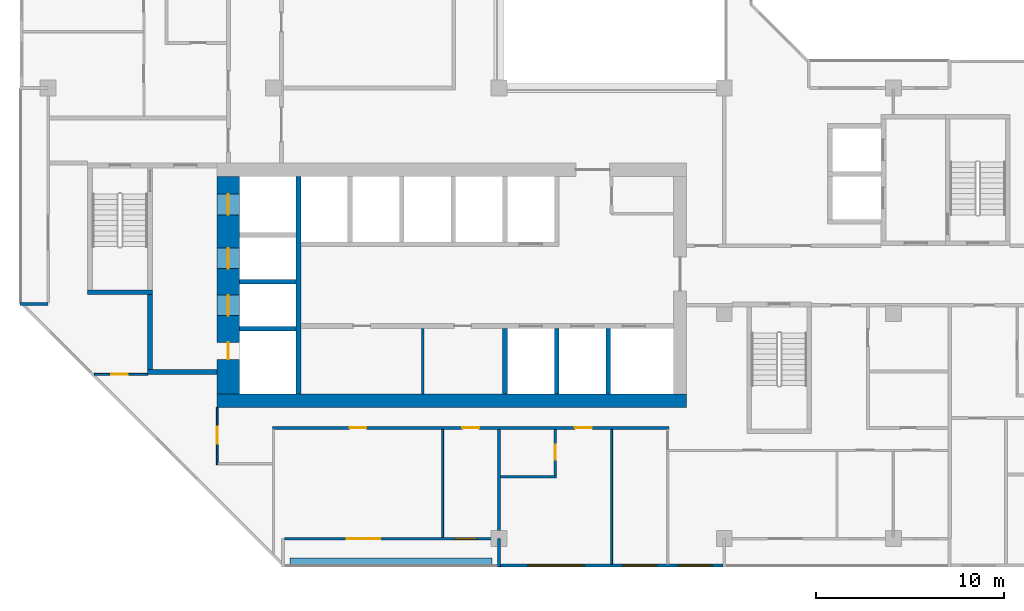
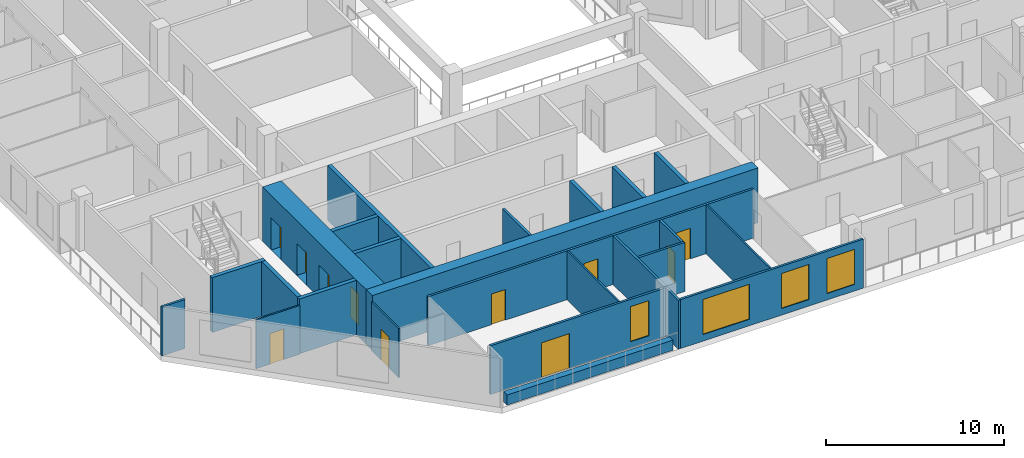
# One storey, part 4 of 15: 25 walls, 11 doors, 4 windows, 15 openings.
"""IFC4 building model written with IfcOpenShell, lengths in metres."""

from ifc_helpers import new_model, si_unit, direction, frame, frame_2d, origin, place, context, subcontext, project, spatial, rectangle, extrude, material, layer, layer_set, type_object, element, fill, save


model = new_model("IFC4")

# Units and contexts
model_context = context("Model", 3, precision=1e-05, world=origin(), true_north=direction((0.0, 1.0)))
body_context = subcontext(model_context, "Body", "Model", "MODEL_VIEW")
ifc_project = project(units=[si_unit("LENGTHUNIT", "METRE"), si_unit("AREAUNIT", "SQUARE_METRE"), si_unit("VOLUMEUNIT", "CUBIC_METRE"), si_unit("PLANEANGLEUNIT", "RADIAN"), si_unit("MASSUNIT", "GRAM", prefix="KILO")], contexts=[model_context])

# Site, building, storey
site_placement = place(None, origin())
site = spatial("IfcSite", under=ifc_project, at=site_placement, CompositionType="ELEMENT")
building_placement = place(site_placement, origin())
building = spatial("IfcBuilding", under=site, at=building_placement, Name="Chenar Terraces", CompositionType="ELEMENT")
storey_placement = place(building_placement, frame((0.0, 0.0, 249.14990234375)))
storey = spatial("IfcBuildingStorey", under=building, at=storey_placement, Name="L59", CompositionType="ELEMENT", Elevation=249.14990234375)

# Wall
ifc_material_1 = material(Name="Gypsum board on steel studs", Category="steel")
ifc_layer_1 = layer(ifc_material_1, 0.14990234375)
ifc_layer_set_1 = layer_set([ifc_layer_1], Name="Gypsum board on steel studs")
wall_type_1 = type_object("IfcWallType", Name="Core partition 150 gypsum board", PredefinedType="PARTITIONING", material=ifc_layer_set_1)
wall_1_placement = place(storey_placement, frame((19.949951171875, 7.699951171875, 0.0), z_axis=(0.0, 0.0, 1.0), x_axis=(0.0, 1.0, 0.0)))
element("IfcWall", 1, at=wall_1_placement, inside=storey, type_object=wall_type_1, Name="Core partition CP1 freed bay wall", PredefinedType="PARTITIONING", context=body_context, shape_type="SweptSolid", body=[
    extrude(rectangle(XDim=3.5, YDim=0.14990234375, at=frame_2d((1.75, 0.0))), origin(), (0.0, 0.0, 1.0), 3.35009765625),
])

# Wall, openings, doors
ifc_material_2 = material(Name="Concrete C60/75", Category="concrete")
ifc_layer_2 = layer(ifc_material_2, 1.199951171875)
ifc_layer_set_2 = layer_set([ifc_layer_2], Name="Concrete C60/75")
wall_type_2 = type_object("IfcWallType", Name="Core wall 1200 Concrete C60/75", PredefinedType="SHEAR", material=ifc_layer_set_2)
wall_2_placement = place(storey_placement, frame((9.60009765625, 7.699951171875, 0.0), z_axis=(0.0, 0.0, 1.0), x_axis=(0.0, 1.0, 0.0)))
wall_2 = element("IfcWall", 2, at=wall_2_placement, inside=storey, type_object=wall_type_2, Name="Core wall W L59", PredefinedType="SHEAR", context=body_context, shape_type="SweptSolid", body=[
    extrude(rectangle(XDim=11.60009765625, YDim=1.199951171875, at=frame_2d((5.800048828125, 0.0))), origin(), (0.0, 0.0, 1.0), 3.75),
])
opening_1_placement = place(wall_2_placement, frame((4.175048828125, 0.0, 0.0)))
opening_1 = element("IfcOpeningElement", 3, at=opening_1_placement, cuts=wall_2, Name="Opening DL59-LD5", PredefinedType="OPENING", context=body_context, shape_type="SweptSolid", body=[
    extrude(rectangle(XDim=1.10009765625, YDim=2.199951171875, at=frame_2d((0.550048828125, 1.10009765625))), frame((0.0, 0.60986328125, 0.0), z_axis=(0.0, -1.0, 0.0), x_axis=(1.0, 0.0, 0.0)), (0.0, 0.0, 1.0), 1.219970703125),
])
opening_2_placement = place(wall_2_placement, frame((6.675048828125, 0.0, 0.0)))
opening_2 = element("IfcOpeningElement", 4, at=opening_2_placement, cuts=wall_2, Name="Opening DL59-LD6", PredefinedType="OPENING", context=body_context, shape_type="SweptSolid", body=[
    extrude(rectangle(XDim=1.10009765625, YDim=2.199951171875, at=frame_2d((0.550048828125, 1.10009765625))), frame((0.0, 0.60986328125, 0.0), z_axis=(0.0, -1.0, 0.0), x_axis=(1.0, 0.0, 0.0)), (0.0, 0.0, 1.0), 1.219970703125),
])
opening_3_placement = place(wall_2_placement, frame((9.550048828125, 0.0, 0.0)))
opening_3 = element("IfcOpeningElement", 5, at=opening_3_placement, cuts=wall_2, Name="Opening DL59-LD7", PredefinedType="OPENING", context=body_context, shape_type="SweptSolid", body=[
    extrude(rectangle(XDim=1.10009765625, YDim=2.199951171875, at=frame_2d((0.550048828125, 1.10009765625))), frame((0.0, 0.60986328125, 0.0), z_axis=(0.0, -1.0, 0.0), x_axis=(1.0, 0.0, 0.0)), (0.0, 0.0, 1.0), 1.219970703125),
])
opening_4_placement = place(wall_2_placement, frame((1.85009765625, 0.0, 0.0)))
opening_4 = element("IfcOpeningElement", 6, at=opening_4_placement, cuts=wall_2, Name="Opening DL59-C4", PredefinedType="OPENING", context=body_context, shape_type="SweptSolid", body=[
    extrude(rectangle(XDim=0.89990234375, YDim=2.10009765625, at=frame_2d((0.449951171875, 1.050048828125))), frame((0.0, 0.60986328125, 0.0), z_axis=(0.0, -1.0, 0.0), x_axis=(1.0, 0.0, 0.0)), (0.0, 0.0, 1.0), 1.219970703125),
])
ifc_material_3 = material(Name="Stainless steel", Category="steel")
door_type_1 = type_object("IfcDoorType", Name="Lift landing door 1100 x 2200 sliding", OperationType="DOUBLE_DOOR_SLIDING", PredefinedType="DOOR", material=ifc_material_3)
door_1_placement = place(opening_1_placement, origin())
door_1 = element("IfcDoor", 7, at=door_1_placement, inside=storey, type_object=door_type_1, Name="Landing door S1", OperationType="DOUBLE_DOOR_SLIDING", OverallHeight=2.199951171875, OverallWidth=1.10009765625, PredefinedType="DOOR", context=body_context, shape_type="SweptSolid", body=[
    extrude(rectangle(XDim=1.10009765625, YDim=2.199951171875, at=frame_2d((0.550048828125, 1.10009765625))), frame((0.0, 0.02490234375, 0.0), z_axis=(0.0, -1.0, 0.0), x_axis=(1.0, 0.0, 0.0)), (0.0, 0.0, 1.0), 0.050048828125),
])
fill(opening_1, door_1)
door_2_placement = place(opening_2_placement, origin())
door_2 = element("IfcDoor", 8, at=door_2_placement, inside=storey, type_object=door_type_1, Name="Landing door F1", OperationType="DOUBLE_DOOR_SLIDING", OverallHeight=2.199951171875, OverallWidth=1.10009765625, PredefinedType="DOOR", context=body_context, shape_type="SweptSolid", body=[
    extrude(rectangle(XDim=1.10009765625, YDim=2.199951171875, at=frame_2d((0.550048828125, 1.10009765625))), frame((0.0, 0.02490234375, 0.0), z_axis=(0.0, -1.0, 0.0), x_axis=(1.0, 0.0, 0.0)), (0.0, 0.0, 1.0), 0.050048828125),
])
fill(opening_2, door_2)
door_3_placement = place(opening_3_placement, origin())
door_3 = element("IfcDoor", 9, at=door_3_placement, inside=storey, type_object=door_type_1, Name="Landing door F2", OperationType="DOUBLE_DOOR_SLIDING", OverallHeight=2.199951171875, OverallWidth=1.10009765625, PredefinedType="DOOR", context=body_context, shape_type="SweptSolid", body=[
    extrude(rectangle(XDim=1.10009765625, YDim=2.199951171875, at=frame_2d((0.550048828125, 1.10009765625))), frame((0.0, 0.02490234375, 0.0), z_axis=(0.0, -1.0, 0.0), x_axis=(1.0, 0.0, 0.0)), (0.0, 0.0, 1.0), 0.050048828125),
])
fill(opening_3, door_3)
ifc_material_4 = material(Name="Steel-framed fire-resisting door leaf", Category="steel")
door_type_2 = type_object("IfcDoorType", Name="Riser fire door FD60 900 x 2100", OperationType="SINGLE_SWING_LEFT", PredefinedType="DOOR", material=ifc_material_4)
door_4_placement = place(opening_4_placement, frame((0.89990234375, 0.0, 0.0), z_axis=(0.0, 0.0, 1.0), x_axis=(-1.0, 0.0, 0.0)))
door_4 = element("IfcDoor", 10, at=door_4_placement, inside=storey, type_object=door_type_2, Name="Riser door DL59-C4", OperationType="SINGLE_SWING_LEFT", OverallHeight=2.10009765625, OverallWidth=0.89990234375, PredefinedType="DOOR", context=body_context, shape_type="SweptSolid", body=[
    extrude(rectangle(XDim=0.89990234375, YDim=2.10009765625, at=frame_2d((0.449951171875, 1.050048828125))), frame((0.0, 0.02490234375, 0.0), z_axis=(0.0, -1.0, 0.0), x_axis=(1.0, 0.0, 0.0)), (0.0, 0.0, 1.0), 0.050048828125),
])
fill(opening_4, door_4)

# Walls
ifc_material_5 = material(Name="Concrete C60/75", Category="concrete")
ifc_layer_3 = layer(ifc_material_5, 0.25)
ifc_layer_set_3 = layer_set([ifc_layer_3], Name="Concrete C60/75")
wall_type_3 = type_object("IfcWallType", Name="Core wall 250 Concrete C60/75", PredefinedType="SHEAR", material=ifc_layer_set_3)
wall_3_placement = place(storey_placement, frame((13.324951171875, 7.699951171875, 0.0), z_axis=(0.0, 0.0, 1.0), x_axis=(0.0, 1.0, 0.0)))
element("IfcWall", 11, at=wall_3_placement, inside=storey, type_object=wall_type_3, Name="Core wall WI L59", PredefinedType="SHEAR", context=body_context, shape_type="SweptSolid", body=[
    extrude(rectangle(XDim=11.60009765625, YDim=0.25, at=frame_2d((5.800048828125, 0.0))), origin(), (0.0, 0.0, 1.0), 3.75),
])
for number, where, z_axis, x_axis, name in (
    (12, (10.199951171875, 11.175048828125, 0.0), (0.0, 0.0, 1.0), (1.0, 0.0, 0.0), "Core wall HW0 L59"),
    (13, (10.199951171875, 13.675048828125, 0.0), (0.0, 0.0, 1.0), (1.0, 0.0, 0.0), "Core wall HW1 L59"),
):
    element("IfcWall", number, at=place(storey_placement, frame(where, z_axis=z_axis, x_axis=x_axis)), inside=storey, type_object=wall_type_3, Name=name, PredefinedType="SHEAR", context=body_context, shape_type="SweptSolid", body=[
        extrude(rectangle(XDim=3.0, YDim=0.25, at=frame_2d((1.5, 0.0))), origin(), (0.0, 0.0, 1.0), 3.75),
    ])
for number, where, z_axis, x_axis, name in (
    (14, (24.324951171875, 7.699951171875, 0.0), (0.0, 0.0, 1.0), (0.0, 1.0, 0.0), "Core wall SS3 L59"),
    (15, (27.074951171875, 7.699951171875, 0.0), (0.0, 0.0, 1.0), (0.0, 1.0, 0.0), "Core wall SS4 L59"),
    (16, (29.824951171875, 7.699951171875, 0.0), (0.0, 0.0, 1.0), (0.0, 1.0, 0.0), "Core wall SS5 L59"),
):
    element("IfcWall", number, at=place(storey_placement, frame(where, z_axis=z_axis, x_axis=x_axis)), inside=storey, type_object=wall_type_3, Name=name, PredefinedType="SHEAR", context=body_context, shape_type="SweptSolid", body=[
        extrude(rectangle(XDim=3.5, YDim=0.25, at=frame_2d((1.75, 0.0))), origin(), (0.0, 0.0, 1.0), 3.75),
    ])
wall_4_placement = place(storey_placement, frame((2.10009765625, 13.125, 0.0), z_axis=(0.0, 0.0, 1.0), x_axis=(1.0, 0.0, 0.0)))
element("IfcWall", 17, at=wall_4_placement, inside=storey, type_object=wall_type_3, Name="Core wall ST1_S L59", PredefinedType="SHEAR", context=body_context, shape_type="SweptSolid", body=[
    extrude(rectangle(XDim=3.449951171875, YDim=0.25, at=frame_2d((1.72509765625, 0.0))), origin(), (0.0, 0.0, 1.0), 3.75),
])
wall_5_placement = place(storey_placement, frame((5.300048828125, 8.875, 0.0), z_axis=(0.0, 0.0, 1.0), x_axis=(1.0, 0.0, 0.0)))
element("IfcWall", 18, at=wall_5_placement, inside=storey, type_object=wall_type_3, Name="Core wall FFL_S L59", PredefinedType="SHEAR", context=body_context, shape_type="SweptSolid", body=[
    extrude(rectangle(XDim=3.699951171875, YDim=0.25, at=frame_2d((1.85009765625, 0.0))), origin(), (0.0, 0.0, 1.0), 3.75),
])
wall_6_placement = place(storey_placement, frame((5.425048828125, 9.0, 0.0), z_axis=(0.0, 0.0, 1.0), x_axis=(0.0, 1.0, 0.0)))
element("IfcWall", 19, at=wall_6_placement, inside=storey, type_object=wall_type_3, Name="Core wall FFL_W L59", PredefinedType="SHEAR", context=body_context, shape_type="SweptSolid", body=[
    extrude(rectangle(XDim=4.0, YDim=0.25, at=frame_2d((2.0, 0.0))), origin(), (0.0, 0.0, 1.0), 3.75),
])
ifc_material_6 = material(Name="Concrete C60/75", Category="concrete")
ifc_layer_4 = layer(ifc_material_6, 0.699951171875)
ifc_layer_set_4 = layer_set([ifc_layer_4], Name="Concrete C60/75")
wall_type_4 = type_object("IfcWallType", Name="Core wall 700 Concrete C60/75", PredefinedType="SHEAR", material=ifc_layer_set_4)
wall_7_placement = place(storey_placement, frame((9.0, 7.35009765625, 0.0), z_axis=(0.0, 0.0, 1.0), x_axis=(1.0, 0.0, 0.0)))
element("IfcWall", 20, at=wall_7_placement, inside=storey, type_object=wall_type_4, Name="Core wall S L59", PredefinedType="SHEAR", context=body_context, shape_type="SweptSolid", body=[
    extrude(rectangle(XDim=25.0, YDim=0.699951171875, at=frame_2d((12.5, 0.0))), origin(), (0.0, 0.0, 1.0), 3.75),
])

# Wall, openings, windows
ifc_material_7 = material(Name="Aluminium framed glazing", Category="aluminium")
ifc_layer_5 = layer(ifc_material_7, 0.14990234375)
ifc_layer_set_5 = layer_set([ifc_layer_5], Name="Aluminium framed glazing")
wall_type_5 = type_object("IfcWallType", Name="Glazed flush facade wall 150", PredefinedType="SOLIDWALL", material=ifc_layer_set_5)
wall_8_placement = place(storey_placement, frame((24.074951171875, -1.425048828125, 0.0), z_axis=(0.0, 0.0, 1.0), x_axis=(1.0, 0.0, 0.0)))
wall_8 = element("IfcWall", 21, at=wall_8_placement, inside=storey, type_object=wall_type_5, Name="Glazed flush facade wall", PredefinedType="SOLIDWALL", context=body_context, shape_type="SweptSolid", body=[
    extrude(rectangle(XDim=11.85009765625, YDim=0.14990234375, at=frame_2d((5.925048828125, 0.0))), origin(), (0.0, 0.0, 1.0), 3.35009765625),
])
opening_5_placement = place(wall_8_placement, frame((1.46240234375, 0.0, 0.449951171875)))
opening_5 = element("IfcOpeningElement", 22, at=opening_5_placement, cuts=wall_8, Name="Opening W300x240", PredefinedType="OPENING", context=body_context, shape_type="SweptSolid", body=[
    extrude(rectangle(XDim=3.0, YDim=2.39990234375, at=frame_2d((1.5, 1.199951171875))), frame((0.0, 0.0849609375, 0.0), z_axis=(0.0, -1.0, 0.0), x_axis=(1.0, 0.0, 0.0)), (0.0, 0.0, 1.0), 0.169921875),
])
opening_6_placement = place(wall_8_placement, frame((6.52490234375, 0.0, 0.449951171875)))
opening_6 = element("IfcOpeningElement", 23, at=opening_6_placement, cuts=wall_8, Name="Opening W180x240", PredefinedType="OPENING", context=body_context, shape_type="SweptSolid", body=[
    extrude(rectangle(XDim=1.800048828125, YDim=2.39990234375, at=frame_2d((0.89990234375, 1.199951171875))), frame((0.0, 0.0849609375, 0.0), z_axis=(0.0, -1.0, 0.0), x_axis=(1.0, 0.0, 0.0)), (0.0, 0.0, 1.0), 0.169921875),
])
opening_7_placement = place(wall_8_placement, frame((9.487548828125, 0.0, 0.449951171875)))
opening_7 = element("IfcOpeningElement", 24, at=opening_7_placement, cuts=wall_8, Name="Opening W180x240", PredefinedType="OPENING", context=body_context, shape_type="SweptSolid", body=[
    extrude(rectangle(XDim=1.800048828125, YDim=2.39990234375, at=frame_2d((0.89990234375, 1.199951171875))), frame((0.0, 0.0849609375, 0.0), z_axis=(0.0, -1.0, 0.0), x_axis=(1.0, 0.0, 0.0)), (0.0, 0.0, 1.0), 0.169921875),
])
ifc_material_8 = material(Name="Low emissivity double glazing, aluminium frame", Category="aluminium")
window_type_1 = type_object("IfcWindowType", Name="Fixed light 1800 x 2400", PartitioningType="SINGLE_PANEL", PredefinedType="WINDOW", material=ifc_material_8)
window_1_placement = place(opening_6_placement, origin())
window_1 = element("IfcWindow", 25, at=window_1_placement, inside=storey, type_object=window_type_1, Name="Window", OverallHeight=2.39990234375, OverallWidth=1.800048828125, PartitioningType="SINGLE_PANEL", PredefinedType="WINDOW", context=body_context, shape_type="SweptSolid", body=[
    extrude(rectangle(XDim=1.800048828125, YDim=2.39990234375, at=frame_2d((0.89990234375, 1.199951171875))), frame((0.0, 0.030029296875, 0.0), z_axis=(0.0, -1.0, 0.0), x_axis=(1.0, 0.0, 0.0)), (0.0, 0.0, 1.0), 0.06005859375),
])
fill(opening_6, window_1)
window_2_placement = place(opening_7_placement, origin())
window_2 = element("IfcWindow", 26, at=window_2_placement, inside=storey, type_object=window_type_1, Name="Window", OverallHeight=2.39990234375, OverallWidth=1.800048828125, PartitioningType="SINGLE_PANEL", PredefinedType="WINDOW", context=body_context, shape_type="SweptSolid", body=[
    extrude(rectangle(XDim=1.800048828125, YDim=2.39990234375, at=frame_2d((0.89990234375, 1.199951171875))), frame((0.0, 0.030029296875, 0.0), z_axis=(0.0, -1.0, 0.0), x_axis=(1.0, 0.0, 0.0)), (0.0, 0.0, 1.0), 0.06005859375),
])
fill(opening_7, window_2)
ifc_material_9 = material(Name="Low emissivity double glazing, aluminium frame", Category="aluminium")
window_type_2 = type_object("IfcWindowType", Name="Fixed light 3000 x 2400", PartitioningType="SINGLE_PANEL", PredefinedType="WINDOW", material=ifc_material_9)
window_3_placement = place(opening_5_placement, origin())
window_3 = element("IfcWindow", 27, at=window_3_placement, inside=storey, type_object=window_type_2, Name="Window", OverallHeight=2.39990234375, OverallWidth=3.0, PartitioningType="SINGLE_PANEL", PredefinedType="WINDOW", context=body_context, shape_type="SweptSolid", body=[
    extrude(rectangle(XDim=3.0, YDim=2.39990234375, at=frame_2d((1.5, 1.199951171875))), frame((0.0, 0.030029296875, 0.0), z_axis=(0.0, -1.0, 0.0), x_axis=(1.0, 0.0, 0.0)), (0.0, 0.0, 1.0), 0.06005859375),
])
fill(opening_5, window_3)

# Wall, openings, window, door
ifc_material_10 = material(Name="Aluminium framed glazing", Category="aluminium")
ifc_layer_6 = layer(ifc_material_10, 0.14990234375)
ifc_layer_set_6 = layer_set([ifc_layer_6], Name="Aluminium framed glazing")
wall_type_6 = type_object("IfcWallType", Name="Glazed loggia back wall 150", PredefinedType="SOLIDWALL", material=ifc_layer_set_6)
wall_9_placement = place(storey_placement, frame((12.574951171875, 0.0, 0.0), z_axis=(0.0, 0.0, 1.0), x_axis=(1.0, 0.0, 0.0)))
wall_9 = element("IfcWall", 28, at=wall_9_placement, inside=storey, type_object=wall_type_6, Name="Glazed loggia back wall", PredefinedType="SOLIDWALL", context=body_context, shape_type="SweptSolid", body=[
    extrude(rectangle(XDim=11.35009765625, YDim=0.14990234375, at=frame_2d((5.675048828125, 0.0))), origin(), (0.0, 0.0, 1.0), 3.35009765625),
])
opening_8_placement = place(wall_9_placement, frame((3.3125, 0.0, 0.0)))
opening_8 = element("IfcOpeningElement", 29, at=opening_8_placement, cuts=wall_9, Name="Opening DL59-G5", PredefinedType="OPENING", context=body_context, shape_type="SweptSolid", body=[
    extrude(rectangle(XDim=1.800048828125, YDim=2.39990234375, at=frame_2d((0.89990234375, 1.199951171875))), frame((0.0, 0.0849609375, 0.0), z_axis=(0.0, -1.0, 0.0), x_axis=(1.0, 0.0, 0.0)), (0.0, 0.0, 1.0), 0.169921875),
])
opening_9_placement = place(wall_9_placement, frame((9.0625, 0.0, 0.449951171875)))
opening_9 = element("IfcOpeningElement", 30, at=opening_9_placement, cuts=wall_9, Name="Opening W120x240", PredefinedType="OPENING", context=body_context, shape_type="SweptSolid", body=[
    extrude(rectangle(XDim=1.199951171875, YDim=2.39990234375, at=frame_2d((0.60009765625, 1.199951171875))), frame((0.0, 0.0849609375, 0.0), z_axis=(0.0, -1.0, 0.0), x_axis=(1.0, 0.0, 0.0)), (0.0, 0.0, 1.0), 0.169921875),
])
ifc_material_11 = material(Name="Low emissivity double glazing, aluminium frame", Category="aluminium")
window_type_3 = type_object("IfcWindowType", Name="Fixed light 1200 x 2400", PartitioningType="SINGLE_PANEL", PredefinedType="WINDOW", material=ifc_material_11)
window_4_placement = place(opening_9_placement, origin())
window_4 = element("IfcWindow", 31, at=window_4_placement, inside=storey, type_object=window_type_3, Name="Window", OverallHeight=2.39990234375, OverallWidth=1.199951171875, PartitioningType="SINGLE_PANEL", PredefinedType="WINDOW", context=body_context, shape_type="SweptSolid", body=[
    extrude(rectangle(XDim=1.199951171875, YDim=2.39990234375, at=frame_2d((0.60009765625, 1.199951171875))), frame((0.0, 0.030029296875, 0.0), z_axis=(0.0, -1.0, 0.0), x_axis=(1.0, 0.0, 0.0)), (0.0, 0.0, 1.0), 0.06005859375),
])
fill(opening_9, window_4)
ifc_material_12 = material(Name="Low emissivity double glazing, aluminium frame", Category="aluminium")
door_type_3 = type_object("IfcDoorType", Name="Loggia glazed double door 1800 x 2400", OperationType="DOUBLE_DOOR_SINGLE_SWING", PredefinedType="DOOR", material=ifc_material_12)
door_5_placement = place(opening_8_placement, frame((1.800048828125, 0.0, 0.0), z_axis=(0.0, 0.0, 1.0), x_axis=(-1.0, 0.0, 0.0)))
door_5 = element("IfcDoor", 32, at=door_5_placement, inside=storey, type_object=door_type_3, Name="Loggia glazed door", OperationType="DOUBLE_DOOR_SINGLE_SWING", OverallHeight=2.39990234375, OverallWidth=1.800048828125, PredefinedType="DOOR", context=body_context, shape_type="SweptSolid", body=[
    extrude(rectangle(XDim=1.800048828125, YDim=2.39990234375, at=frame_2d((0.89990234375, 1.199951171875))), frame((0.0, 0.02490234375, 0.0), z_axis=(0.0, -1.0, 0.0), x_axis=(1.0, 0.0, 0.0)), (0.0, 0.0, 1.0), 0.050048828125),
])
fill(opening_8, door_5)

# Wall, opening, door
ifc_material_13 = material(Name="Gypsum board on steel studs", Category="steel")
ifc_layer_7 = layer(ifc_material_13, 0.10009765625)
ifc_layer_set_7 = layer_set([ifc_layer_7], Name="Gypsum board on steel studs")
wall_type_7 = type_object("IfcWallType", Name="Gypsum partition 100", PredefinedType="PARTITIONING", material=ifc_layer_set_7)
wall_10_placement = place(storey_placement, frame((2.4609375, 8.75, 0.0), z_axis=(0.0, 0.0, 1.0), x_axis=(1.0, 0.0, 0.0)))
wall_10 = element("IfcWall", 33, at=wall_10_placement, inside=storey, type_object=wall_type_7, Name="Partition L59-013", PredefinedType="PARTITIONING", context=body_context, shape_type="SweptSolid", body=[
    extrude(rectangle(XDim=2.839111328125, YDim=0.10009765625, at=frame_2d((1.41943359375, 0.0))), origin(), (0.0, 0.0, 1.0), 3.35009765625),
])
opening_10_placement = place(wall_10_placement, frame((0.888916015625, 0.0, 0.0)))
opening_10 = element("IfcOpeningElement", 34, at=opening_10_placement, cuts=wall_10, Name="Opening DL59-53", PredefinedType="OPENING", context=body_context, shape_type="SweptSolid", body=[
    extrude(rectangle(XDim=0.89990234375, YDim=2.10009765625, at=frame_2d((0.449951171875, 1.050048828125))), frame((0.0, 0.06005859375, 0.0), z_axis=(0.0, -1.0, 0.0), x_axis=(1.0, 0.0, 0.0)), (0.0, 0.0, 1.0), 0.1201171875),
])
ifc_material_14 = material(Name="Veneered timber door leaf", Category="wood")
door_type_4 = type_object("IfcDoorType", Name="Door 900 x 2100", OperationType="SINGLE_SWING_LEFT", PredefinedType="DOOR", material=ifc_material_14)
door_6_placement = place(opening_10_placement, frame((0.89990234375, 0.0, 0.0), z_axis=(0.0, 0.0, 1.0), x_axis=(-1.0, 0.0, 0.0)))
door_6 = element("IfcDoor", 35, at=door_6_placement, inside=storey, type_object=door_type_4, Name="Door DL59-53", OperationType="SINGLE_SWING_RIGHT", OverallHeight=2.10009765625, OverallWidth=0.89990234375, PredefinedType="DOOR", context=body_context, shape_type="SweptSolid", body=[
    extrude(rectangle(XDim=0.89990234375, YDim=2.10009765625, at=frame_2d((0.449951171875, 1.050048828125))), frame((0.0, 0.02490234375, 0.0), z_axis=(0.0, -1.0, 0.0), x_axis=(1.0, 0.0, 0.0)), (0.0, 0.0, 1.0), 0.050048828125),
])
fill(opening_10, door_6)

wall_11_placement = place(storey_placement, frame((9.0, 3.949951171875, 0.0), z_axis=(0.0, 0.0, 1.0), x_axis=(0.0, 1.0, 0.0)))
wall_11 = element("IfcWall", 36, at=wall_11_placement, inside=storey, type_object=wall_type_7, Name="Partition L59-031", PredefinedType="PARTITIONING", context=body_context, shape_type="SweptSolid", body=[
    extrude(rectangle(XDim=3.050048828125, YDim=0.10009765625, at=frame_2d((1.52490234375, 0.0))), origin(), (0.0, 0.0, 1.0), 3.35009765625),
])
opening_11_placement = place(wall_11_placement, frame((1.10009765625, 0.0, 0.0)))
opening_11 = element("IfcOpeningElement", 37, at=opening_11_placement, cuts=wall_11, Name="Opening DL59-52", PredefinedType="OPENING", context=body_context, shape_type="SweptSolid", body=[
    extrude(rectangle(XDim=0.89990234375, YDim=2.10009765625, at=frame_2d((0.449951171875, 1.050048828125))), frame((0.0, 0.06005859375, 0.0), z_axis=(0.0, -1.0, 0.0), x_axis=(1.0, 0.0, 0.0)), (0.0, 0.0, 1.0), 0.1201171875),
])
door_7_placement = place(opening_11_placement, origin())
door_7 = element("IfcDoor", 38, at=door_7_placement, inside=storey, type_object=door_type_4, Name="Door DL59-52", OperationType="SINGLE_SWING_LEFT", OverallHeight=2.10009765625, OverallWidth=0.89990234375, PredefinedType="DOOR", context=body_context, shape_type="SweptSolid", body=[
    extrude(rectangle(XDim=0.89990234375, YDim=2.10009765625, at=frame_2d((0.449951171875, 1.050048828125))), frame((0.0, 0.02490234375, 0.0), z_axis=(0.0, -1.0, 0.0), x_axis=(1.0, 0.0, 0.0)), (0.0, 0.0, 1.0), 0.050048828125),
])
fill(opening_11, door_7)

# Walls
wall_12_placement = place(storey_placement, frame((21.0, 0.073974609375, 0.0), z_axis=(0.0, 0.0, 1.0), x_axis=(0.0, 1.0, 0.0)))
element("IfcWall", 39, at=wall_12_placement, inside=storey, type_object=wall_type_7, Name="Partition L59-056", PredefinedType="PARTITIONING", context=body_context, shape_type="SweptSolid", body=[
    extrude(rectangle(XDim=5.7509765625, YDim=0.10009765625, at=frame_2d((2.87548828125, 0.0))), origin(), (0.0, 0.0, 1.0), 3.35009765625),
])
wall_13_placement = place(storey_placement, frame((30.0, -1.35107421875, 0.0), z_axis=(0.0, 0.0, 1.0), x_axis=(0.0, 1.0, 0.0)))
element("IfcWall", 40, at=wall_13_placement, inside=storey, type_object=wall_type_7, Name="Partition L59-061", PredefinedType="PARTITIONING", context=body_context, shape_type="SweptSolid", body=[
    extrude(rectangle(XDim=7.176025390625, YDim=0.10009765625, at=frame_2d((3.587890625, 0.0))), origin(), (0.0, 0.0, 1.0), 3.35009765625),
])
ifc_material_15 = material(Name="Terracotta cladding on insulated backing", Category="masonry")
ifc_layer_8 = layer(ifc_material_15, 0.14990234375)
ifc_layer_set_8 = layer_set([ifc_layer_8], Name="Terracotta cladding on insulated backing")
wall_type_8 = type_object("IfcWallType", Name="Loggia return wall 150", PredefinedType="SOLIDWALL", material=ifc_layer_set_8)
for number, where, z_axis, x_axis, name in (
    (41, (-1.5, 12.5, 0.0), (0.0, 0.0, 1.0), (1.0, 0.0, 0.0), "Loggia return wall"),
    (42, (24.0, -1.5, 0.0), (0.0, 0.0, 1.0), (0.0, 1.0, 0.0), "Loggia return wall"),
):
    element("IfcWall", number, at=place(storey_placement, frame(where, z_axis=z_axis, x_axis=x_axis)), inside=storey, type_object=wall_type_8, Name=name, PredefinedType="SOLIDWALL", context=body_context, shape_type="SweptSolid", body=[
        extrude(rectangle(XDim=1.5, YDim=0.14990234375, at=frame_2d((0.75, 0.0))), origin(), (0.0, 0.0, 1.0), 3.35009765625),
    ])
ifc_material_16 = material(Name="GRP planter trough")
ifc_layer_9 = layer(ifc_material_16, 0.39990234375)
ifc_layer_set_9 = layer_set([ifc_layer_9], Name="GRP planter trough")
wall_type_9 = type_object("IfcWallType", Name="Vertical greenery planter 400", PredefinedType="SOLIDWALL", material=ifc_layer_set_9)
wall_14_placement = place(storey_placement, frame((12.875, -1.22900390625, 0.0), z_axis=(0.0, 0.0, 1.0), x_axis=(1.0, 0.0, 0.0)))
element("IfcWall", 43, at=wall_14_placement, inside=storey, type_object=wall_type_9, Name="Vertical greenery planter", PredefinedType="SOLIDWALL", context=body_context, shape_type="SweptSolid", body=[
    extrude(rectangle(XDim=10.75, YDim=0.39990234375, at=frame_2d((5.375, 0.0))), origin(), (0.0, 0.0, 1.0), 0.7001953125),
])

# Wall, openings, doors
ifc_material_17 = material(Name="Moisture-resistant gypsum board on steel studs", Category="steel")
ifc_layer_10 = layer(ifc_material_17, 0.14990234375)
ifc_layer_set_10 = layer_set([ifc_layer_10], Name="Moisture-resistant gypsum board on steel studs")
wall_type_10 = type_object("IfcWallType", Name="Wet-room partition 150", PredefinedType="PARTITIONING", material=ifc_layer_set_10)
wall_15_placement = place(storey_placement, frame((11.949951171875, 5.89990234375, 0.0), z_axis=(0.0, 0.0, 1.0), x_axis=(1.0, 0.0, 0.0)))
wall_15 = element("IfcWall", 44, at=wall_15_placement, inside=storey, type_object=wall_type_10, Name="Partition L59-034", PredefinedType="PARTITIONING", context=body_context, shape_type="SweptSolid", body=[
    extrude(rectangle(XDim=21.10009765625, YDim=0.14990234375, at=frame_2d((10.550048828125, 0.0))), origin(), (0.0, 0.0, 1.0), 3.35009765625),
])
opening_12_placement = place(wall_15_placement, frame((10.10009765625, 0.0, 0.0)))
opening_12 = element("IfcOpeningElement", 45, at=opening_12_placement, cuts=wall_15, Name="Opening DL59-48", PredefinedType="OPENING", context=body_context, shape_type="SweptSolid", body=[
    extrude(rectangle(XDim=0.89990234375, YDim=2.10009765625, at=frame_2d((0.449951171875, 1.050048828125))), frame((0.0, 0.0849609375, 0.0), z_axis=(0.0, -1.0, 0.0), x_axis=(1.0, 0.0, 0.0)), (0.0, 0.0, 1.0), 0.169921875),
])
opening_13_placement = place(wall_15_placement, frame((16.10009765625, 0.0, 0.0)))
opening_13 = element("IfcOpeningElement", 46, at=opening_13_placement, cuts=wall_15, Name="Opening DL59-54", PredefinedType="OPENING", context=body_context, shape_type="SweptSolid", body=[
    extrude(rectangle(XDim=0.89990234375, YDim=2.10009765625, at=frame_2d((0.449951171875, 1.050048828125))), frame((0.0, 0.0849609375, 0.0), z_axis=(0.0, -1.0, 0.0), x_axis=(1.0, 0.0, 0.0)), (0.0, 0.0, 1.0), 0.169921875),
])
opening_14_placement = place(wall_15_placement, frame((4.10009765625, 0.0, 0.0)))
opening_14 = element("IfcOpeningElement", 47, at=opening_14_placement, cuts=wall_15, Name="Opening DL59-58", PredefinedType="OPENING", context=body_context, shape_type="SweptSolid", body=[
    extrude(rectangle(XDim=0.89990234375, YDim=2.10009765625, at=frame_2d((0.449951171875, 1.050048828125))), frame((0.0, 0.0849609375, 0.0), z_axis=(0.0, -1.0, 0.0), x_axis=(1.0, 0.0, 0.0)), (0.0, 0.0, 1.0), 0.169921875),
])
door_8_placement = place(opening_12_placement, frame((0.89990234375, 0.0, 0.0), z_axis=(0.0, 0.0, 1.0), x_axis=(-1.0, 0.0, 0.0)))
door_8 = element("IfcDoor", 48, at=door_8_placement, inside=storey, type_object=door_type_4, Name="Door DL59-48", OperationType="SINGLE_SWING_RIGHT", OverallHeight=2.10009765625, OverallWidth=0.89990234375, PredefinedType="DOOR", context=body_context, shape_type="SweptSolid", body=[
    extrude(rectangle(XDim=0.89990234375, YDim=2.10009765625, at=frame_2d((0.449951171875, 1.050048828125))), frame((0.0, 0.02490234375, 0.0), z_axis=(0.0, -1.0, 0.0), x_axis=(1.0, 0.0, 0.0)), (0.0, 0.0, 1.0), 0.050048828125),
])
fill(opening_12, door_8)
door_9_placement = place(opening_13_placement, frame((0.89990234375, 0.0, 0.0), z_axis=(0.0, 0.0, 1.0), x_axis=(-1.0, 0.0, 0.0)))
door_9 = element("IfcDoor", 49, at=door_9_placement, inside=storey, type_object=door_type_4, Name="Door DL59-54", OperationType="SINGLE_SWING_RIGHT", OverallHeight=2.10009765625, OverallWidth=0.89990234375, PredefinedType="DOOR", context=body_context, shape_type="SweptSolid", body=[
    extrude(rectangle(XDim=0.89990234375, YDim=2.10009765625, at=frame_2d((0.449951171875, 1.050048828125))), frame((0.0, 0.02490234375, 0.0), z_axis=(0.0, -1.0, 0.0), x_axis=(1.0, 0.0, 0.0)), (0.0, 0.0, 1.0), 0.050048828125),
])
fill(opening_13, door_9)
door_10_placement = place(opening_14_placement, frame((0.89990234375, 0.0, 0.0), z_axis=(0.0, 0.0, 1.0), x_axis=(-1.0, 0.0, 0.0)))
door_10 = element("IfcDoor", 50, at=door_10_placement, inside=storey, type_object=door_type_4, Name="Door DL59-58", OperationType="SINGLE_SWING_RIGHT", OverallHeight=2.10009765625, OverallWidth=0.89990234375, PredefinedType="DOOR", context=body_context, shape_type="SweptSolid", body=[
    extrude(rectangle(XDim=0.89990234375, YDim=2.10009765625, at=frame_2d((0.449951171875, 1.050048828125))), frame((0.0, 0.02490234375, 0.0), z_axis=(0.0, -1.0, 0.0), x_axis=(1.0, 0.0, 0.0)), (0.0, 0.0, 1.0), 0.050048828125),
])
fill(opening_14, door_10)

# Walls
wall_16_placement = place(storey_placement, frame((24.0, 0.0, 0.0), z_axis=(0.0, 0.0, 1.0), x_axis=(0.0, 1.0, 0.0)))
element("IfcWall", 51, at=wall_16_placement, inside=storey, type_object=wall_type_10, Name="Partition L59-058", PredefinedType="PARTITIONING", context=body_context, shape_type="SweptSolid", body=[
    extrude(rectangle(XDim=5.824951171875, YDim=0.14990234375, at=frame_2d((2.91259765625, 0.0))), origin(), (0.0, 0.0, 1.0), 3.35009765625),
])
wall_17_placement = place(storey_placement, frame((24.074951171875, 3.300048828125, 0.0), z_axis=(0.0, 0.0, 1.0), x_axis=(1.0, 0.0, 0.0)))
element("IfcWall", 52, at=wall_17_placement, inside=storey, type_object=wall_type_10, Name="Partition L59-059", PredefinedType="PARTITIONING", context=body_context, shape_type="SweptSolid", body=[
    extrude(rectangle(XDim=3.0, YDim=0.14990234375, at=frame_2d((1.5, 0.0))), origin(), (0.0, 0.0, 1.0), 3.35009765625),
])

# Wall, opening, door
wall_18_placement = place(storey_placement, frame((27.0, 3.375, 0.0), z_axis=(0.0, 0.0, 1.0), x_axis=(0.0, 1.0, 0.0)))
wall_18 = element("IfcWall", 53, at=wall_18_placement, inside=storey, type_object=wall_type_10, Name="Partition L59-060", PredefinedType="PARTITIONING", context=body_context, shape_type="SweptSolid", body=[
    extrude(rectangle(XDim=2.449951171875, YDim=0.14990234375, at=frame_2d((1.22509765625, 0.0))), origin(), (0.0, 0.0, 1.0), 3.35009765625),
])
opening_15_placement = place(wall_18_placement, frame((0.824951171875, 0.0, 0.0)))
opening_15 = element("IfcOpeningElement", 54, at=opening_15_placement, cuts=wall_18, Name="Opening DL59-55", PredefinedType="OPENING", context=body_context, shape_type="SweptSolid", body=[
    extrude(rectangle(XDim=0.800048828125, YDim=2.10009765625, at=frame_2d((0.39990234375, 1.050048828125))), frame((0.0, 0.0849609375, 0.0), z_axis=(0.0, -1.0, 0.0), x_axis=(1.0, 0.0, 0.0)), (0.0, 0.0, 1.0), 0.169921875),
])
ifc_material_18 = material(Name="Veneered timber door leaf", Category="wood")
door_type_5 = type_object("IfcDoorType", Name="Door 800 x 2100", OperationType="SINGLE_SWING_LEFT", PredefinedType="DOOR", material=ifc_material_18)
door_11_placement = place(opening_15_placement, origin())
door_11 = element("IfcDoor", 55, at=door_11_placement, inside=storey, type_object=door_type_5, Name="Door DL59-55", OperationType="SINGLE_SWING_RIGHT", OverallHeight=2.10009765625, OverallWidth=0.800048828125, PredefinedType="DOOR", context=body_context, shape_type="SweptSolid", body=[
    extrude(rectangle(XDim=0.800048828125, YDim=2.10009765625, at=frame_2d((0.39990234375, 1.050048828125))), frame((0.0, 0.02490234375, 0.0), z_axis=(0.0, -1.0, 0.0), x_axis=(1.0, 0.0, 0.0)), (0.0, 0.0, 1.0), 0.050048828125),
])
fill(opening_15, door_11)

save(model, "model.ifc")
